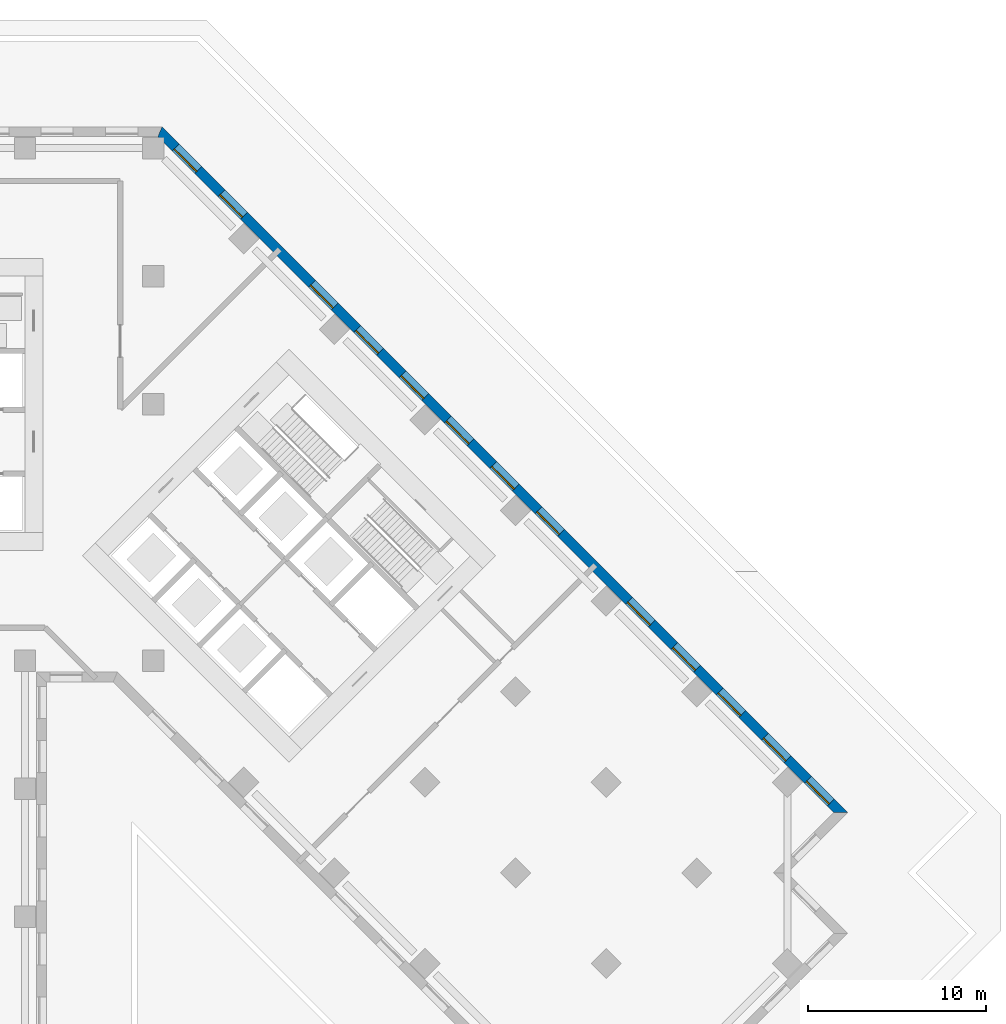
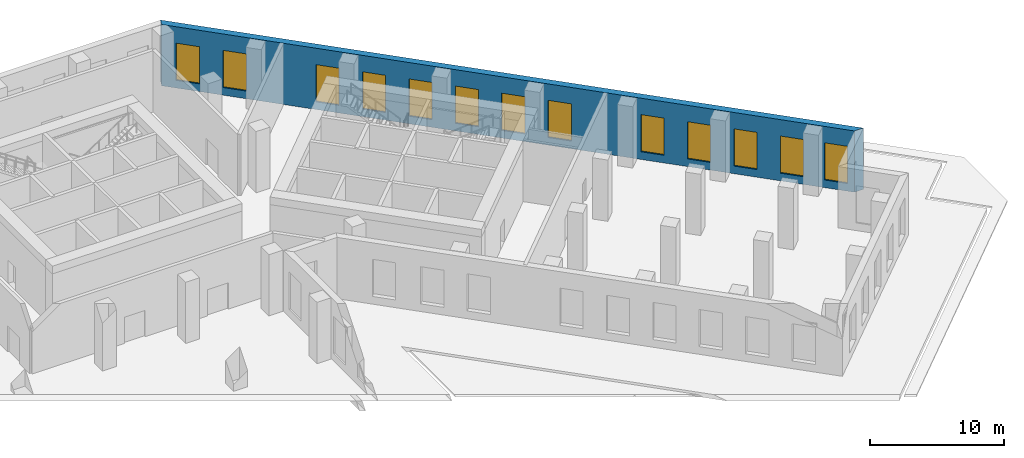
# One storey, part 8 of 15: 13 windows, 1 wall, 13 openings.
"""IFC4 building model written with IfcOpenShell, lengths in metres."""

from ifc_helpers import new_model, si_unit, direction, frame, frame_2d, origin, place, context, subcontext, project, spatial, polyline, rectangle, outline, extrude, material, layer, layer_set, type_object, element, fill, save


model = new_model("IFC4")

# Units and contexts
model_context = context("Model", 3, precision=1e-05, world=origin(), true_north=direction((0.0, 1.0)))
body_context = subcontext(model_context, "Body", "Model", "MODEL_VIEW")
ifc_project = project(units=[si_unit("LENGTHUNIT", "METRE"), si_unit("AREAUNIT", "SQUARE_METRE"), si_unit("VOLUMEUNIT", "CUBIC_METRE"), si_unit("PLANEANGLEUNIT", "RADIAN"), si_unit("MASSUNIT", "GRAM", prefix="KILO")], contexts=[model_context])

# Site, building, storey
site_placement = place(None, origin())
site = spatial("IfcSite", under=ifc_project, at=site_placement, CompositionType="ELEMENT")
building_placement = place(site_placement, origin())
building = spatial("IfcBuilding", under=site, at=building_placement, Name="Windrow Commons", CompositionType="ELEMENT")
storey_placement = place(building_placement, origin())
storey = spatial("IfcBuildingStorey", under=building, at=storey_placement, Name="L00", CompositionType="ELEMENT", Elevation=0.0)

# Wall, openings, windows
ifc_material_1 = material(Name="Brick masonry, red clay brick", Category="masonry")
ifc_layer = layer(ifc_material_1, 0.55)
ifc_layer_set = layer_set([ifc_layer], Name="Brick facade wall 550")
wall_type = type_object("IfcWallType", Name="Brick facade wall 550", PredefinedType="SOLIDWALL", material=ifc_layer_set)
wall_placement = place(storey_placement, frame((117.8434, 34.6648, 0.0), z_axis=(0.0, 0.0, 1.0), x_axis=(-0.7071067812, 0.7071067812, 0.0)))
wall = element("IfcWall", 1, at=wall_placement, inside=storey, type_object=wall_type, Name="Brick facade wall L00 4", PredefinedType="SOLIDWALL", context=body_context, shape_type="SweptSolid", body=[
    extrude(outline(polyline([(-0.275, -0.275), (54.222, -0.275), (53.9942, 0.275), (0.275, 0.275), (-0.275, -0.275)])), origin(), (0.0, 0.0, 1.0), 5.6),
])
opening_1_placement = place(wall_placement, frame((0.8, 0.0, 0.7)))
opening_1 = element("IfcOpeningElement", 2, at=opening_1_placement, cuts=wall, Name="Opening W3", PredefinedType="OPENING", context=body_context, shape_type="SweptSolid", body=[
    extrude(rectangle(XDim=1.8, YDim=3.4, at=frame_2d((0.9, 1.7))), frame((0.0, 0.285, 0.0), z_axis=(0.0, -1.0, 0.0), x_axis=(1.0, 0.0, 0.0)), (0.0, 0.0, 1.0), 0.57),
])
opening_2_placement = place(wall_placement, frame((4.225, 0.0, 0.7)))
opening_2 = element("IfcOpeningElement", 3, at=opening_2_placement, cuts=wall, Name="Opening W3", PredefinedType="OPENING", context=body_context, shape_type="SweptSolid", body=[
    extrude(rectangle(XDim=1.8, YDim=3.4, at=frame_2d((0.9, 1.7))), frame((0.0, 0.285, 0.0), z_axis=(0.0, -1.0, 0.0), x_axis=(1.0, 0.0, 0.0)), (0.0, 0.0, 1.0), 0.57),
])
opening_3_placement = place(wall_placement, frame((7.825, 0.0, 0.7)))
opening_3 = element("IfcOpeningElement", 4, at=opening_3_placement, cuts=wall, Name="Opening W3", PredefinedType="OPENING", context=body_context, shape_type="SweptSolid", body=[
    extrude(rectangle(XDim=1.8, YDim=3.4, at=frame_2d((0.9, 1.7))), frame((0.0, 0.285, 0.0), z_axis=(0.0, -1.0, 0.0), x_axis=(1.0, 0.0, 0.0)), (0.0, 0.0, 1.0), 0.57),
])
opening_4_placement = place(wall_placement, frame((11.425, 0.0, 0.7)))
opening_4 = element("IfcOpeningElement", 5, at=opening_4_placement, cuts=wall, Name="Opening W3", PredefinedType="OPENING", context=body_context, shape_type="SweptSolid", body=[
    extrude(rectangle(XDim=1.8, YDim=3.4, at=frame_2d((0.9, 1.7))), frame((0.0, 0.285, 0.0), z_axis=(0.0, -1.0, 0.0), x_axis=(1.0, 0.0, 0.0)), (0.0, 0.0, 1.0), 0.57),
])
opening_5_placement = place(wall_placement, frame((15.025, 0.0, 0.7)))
opening_5 = element("IfcOpeningElement", 6, at=opening_5_placement, cuts=wall, Name="Opening W3", PredefinedType="OPENING", context=body_context, shape_type="SweptSolid", body=[
    extrude(rectangle(XDim=1.8, YDim=3.4, at=frame_2d((0.9, 1.7))), frame((0.0, 0.285, 0.0), z_axis=(0.0, -1.0, 0.0), x_axis=(1.0, 0.0, 0.0)), (0.0, 0.0, 1.0), 0.57),
])
opening_6_placement = place(wall_placement, frame((22.225, 0.0, 0.7)))
opening_6 = element("IfcOpeningElement", 7, at=opening_6_placement, cuts=wall, Name="Opening W3", PredefinedType="OPENING", context=body_context, shape_type="SweptSolid", body=[
    extrude(rectangle(XDim=1.8, YDim=3.4, at=frame_2d((0.9, 1.7))), frame((0.0, 0.285, 0.0), z_axis=(0.0, -1.0, 0.0), x_axis=(1.0, 0.0, 0.0)), (0.0, 0.0, 1.0), 0.57),
])
opening_7_placement = place(wall_placement, frame((25.825, 0.0, 0.7)))
opening_7 = element("IfcOpeningElement", 8, at=opening_7_placement, cuts=wall, Name="Opening W3", PredefinedType="OPENING", context=body_context, shape_type="SweptSolid", body=[
    extrude(rectangle(XDim=1.8, YDim=3.4, at=frame_2d((0.9, 1.7))), frame((0.0, 0.285, 0.0), z_axis=(0.0, -1.0, 0.0), x_axis=(1.0, 0.0, 0.0)), (0.0, 0.0, 1.0), 0.57),
])
opening_8_placement = place(wall_placement, frame((29.425, 0.0, 0.7)))
opening_8 = element("IfcOpeningElement", 9, at=opening_8_placement, cuts=wall, Name="Opening W3", PredefinedType="OPENING", context=body_context, shape_type="SweptSolid", body=[
    extrude(rectangle(XDim=1.8, YDim=3.4, at=frame_2d((0.9, 1.7))), frame((0.0, 0.285, 0.0), z_axis=(0.0, -1.0, 0.0), x_axis=(1.0, 0.0, 0.0)), (0.0, 0.0, 1.0), 0.57),
])
opening_9_placement = place(wall_placement, frame((33.025, 0.0, 0.7)))
opening_9 = element("IfcOpeningElement", 10, at=opening_9_placement, cuts=wall, Name="Opening W3", PredefinedType="OPENING", context=body_context, shape_type="SweptSolid", body=[
    extrude(rectangle(XDim=1.8, YDim=3.4, at=frame_2d((0.9, 1.7))), frame((0.0, 0.285, 0.0), z_axis=(0.0, -1.0, 0.0), x_axis=(1.0, 0.0, 0.0)), (0.0, 0.0, 1.0), 0.57),
])
opening_10_placement = place(wall_placement, frame((36.625, 0.0, 0.7)))
opening_10 = element("IfcOpeningElement", 11, at=opening_10_placement, cuts=wall, Name="Opening W3", PredefinedType="OPENING", context=body_context, shape_type="SweptSolid", body=[
    extrude(rectangle(XDim=1.8, YDim=3.4, at=frame_2d((0.9, 1.7))), frame((0.0, 0.285, 0.0), z_axis=(0.0, -1.0, 0.0), x_axis=(1.0, 0.0, 0.0)), (0.0, 0.0, 1.0), 0.57),
])
opening_11_placement = place(wall_placement, frame((40.225, 0.0, 0.7)))
opening_11 = element("IfcOpeningElement", 12, at=opening_11_placement, cuts=wall, Name="Opening W3", PredefinedType="OPENING", context=body_context, shape_type="SweptSolid", body=[
    extrude(rectangle(XDim=1.8, YDim=3.4, at=frame_2d((0.9, 1.7))), frame((0.0, 0.285, 0.0), z_axis=(0.0, -1.0, 0.0), x_axis=(1.0, 0.0, 0.0)), (0.0, 0.0, 1.0), 0.57),
])
opening_12_placement = place(wall_placement, frame((47.425, 0.0, 0.7)))
opening_12 = element("IfcOpeningElement", 13, at=opening_12_placement, cuts=wall, Name="Opening W3", PredefinedType="OPENING", context=body_context, shape_type="SweptSolid", body=[
    extrude(rectangle(XDim=1.8, YDim=3.4, at=frame_2d((0.9, 1.7))), frame((0.0, 0.285, 0.0), z_axis=(0.0, -1.0, 0.0), x_axis=(1.0, 0.0, 0.0)), (0.0, 0.0, 1.0), 0.57),
])
opening_13_placement = place(wall_placement, frame((51.0596, 0.0, 0.7)))
opening_13 = element("IfcOpeningElement", 14, at=opening_13_placement, cuts=wall, Name="Opening W3", PredefinedType="OPENING", context=body_context, shape_type="SweptSolid", body=[
    extrude(rectangle(XDim=1.8, YDim=3.4, at=frame_2d((0.9, 1.7))), frame((0.0, 0.285, 0.0), z_axis=(0.0, -1.0, 0.0), x_axis=(1.0, 0.0, 0.0)), (0.0, 0.0, 1.0), 0.57),
])
ifc_material_2 = material(Name="Clear float glass in anodised aluminium frame", Category="aluminium")
window_type = type_object("IfcWindowType", Name="Window W3 shopfront 1800x3400", PartitioningType="SINGLE_PANEL", PredefinedType="WINDOW", material=ifc_material_2)
window_1_placement = place(opening_1_placement, origin())
window_1 = element("IfcWindow", 15, at=window_1_placement, inside=storey, type_object=window_type, Name="Window L00 4.1", OverallHeight=3.4, OverallWidth=1.8, PartitioningType="SINGLE_PANEL", PredefinedType="WINDOW", context=body_context, shape_type="SweptSolid", body=[
    extrude(rectangle(XDim=1.8, YDim=3.4, at=frame_2d((0.9, 1.7))), frame((0.0, 0.155, 0.0), z_axis=(0.0, -1.0, 0.0), x_axis=(1.0, 0.0, 0.0)), (0.0, 0.0, 1.0), 0.06),
])
fill(opening_1, window_1)
window_2_placement = place(opening_2_placement, origin())
window_2 = element("IfcWindow", 16, at=window_2_placement, inside=storey, type_object=window_type, Name="Window L00 4.2", OverallHeight=3.4, OverallWidth=1.8, PartitioningType="SINGLE_PANEL", PredefinedType="WINDOW", context=body_context, shape_type="SweptSolid", body=[
    extrude(rectangle(XDim=1.8, YDim=3.4, at=frame_2d((0.9, 1.7))), frame((0.0, 0.155, 0.0), z_axis=(0.0, -1.0, 0.0), x_axis=(1.0, 0.0, 0.0)), (0.0, 0.0, 1.0), 0.06),
])
fill(opening_2, window_2)
window_3_placement = place(opening_3_placement, origin())
window_3 = element("IfcWindow", 17, at=window_3_placement, inside=storey, type_object=window_type, Name="Window L00 4.3", OverallHeight=3.4, OverallWidth=1.8, PartitioningType="SINGLE_PANEL", PredefinedType="WINDOW", context=body_context, shape_type="SweptSolid", body=[
    extrude(rectangle(XDim=1.8, YDim=3.4, at=frame_2d((0.9, 1.7))), frame((0.0, 0.155, 0.0), z_axis=(0.0, -1.0, 0.0), x_axis=(1.0, 0.0, 0.0)), (0.0, 0.0, 1.0), 0.06),
])
fill(opening_3, window_3)
window_4_placement = place(opening_4_placement, origin())
window_4 = element("IfcWindow", 18, at=window_4_placement, inside=storey, type_object=window_type, Name="Window L00 4.4", OverallHeight=3.4, OverallWidth=1.8, PartitioningType="SINGLE_PANEL", PredefinedType="WINDOW", context=body_context, shape_type="SweptSolid", body=[
    extrude(rectangle(XDim=1.8, YDim=3.4, at=frame_2d((0.9, 1.7))), frame((0.0, 0.155, 0.0), z_axis=(0.0, -1.0, 0.0), x_axis=(1.0, 0.0, 0.0)), (0.0, 0.0, 1.0), 0.06),
])
fill(opening_4, window_4)
window_5_placement = place(opening_5_placement, origin())
window_5 = element("IfcWindow", 19, at=window_5_placement, inside=storey, type_object=window_type, Name="Window L00 4.5", OverallHeight=3.4, OverallWidth=1.8, PartitioningType="SINGLE_PANEL", PredefinedType="WINDOW", context=body_context, shape_type="SweptSolid", body=[
    extrude(rectangle(XDim=1.8, YDim=3.4, at=frame_2d((0.9, 1.7))), frame((0.0, 0.155, 0.0), z_axis=(0.0, -1.0, 0.0), x_axis=(1.0, 0.0, 0.0)), (0.0, 0.0, 1.0), 0.06),
])
fill(opening_5, window_5)
window_6_placement = place(opening_6_placement, origin())
window_6 = element("IfcWindow", 20, at=window_6_placement, inside=storey, type_object=window_type, Name="Window L00 4.6", OverallHeight=3.4, OverallWidth=1.8, PartitioningType="SINGLE_PANEL", PredefinedType="WINDOW", context=body_context, shape_type="SweptSolid", body=[
    extrude(rectangle(XDim=1.8, YDim=3.4, at=frame_2d((0.9, 1.7))), frame((0.0, 0.155, 0.0), z_axis=(0.0, -1.0, 0.0), x_axis=(1.0, 0.0, 0.0)), (0.0, 0.0, 1.0), 0.06),
])
fill(opening_6, window_6)
window_7_placement = place(opening_7_placement, origin())
window_7 = element("IfcWindow", 21, at=window_7_placement, inside=storey, type_object=window_type, Name="Window L00 4.7", OverallHeight=3.4, OverallWidth=1.8, PartitioningType="SINGLE_PANEL", PredefinedType="WINDOW", context=body_context, shape_type="SweptSolid", body=[
    extrude(rectangle(XDim=1.8, YDim=3.4, at=frame_2d((0.9, 1.7))), frame((0.0, 0.155, 0.0), z_axis=(0.0, -1.0, 0.0), x_axis=(1.0, 0.0, 0.0)), (0.0, 0.0, 1.0), 0.06),
])
fill(opening_7, window_7)
window_8_placement = place(opening_8_placement, origin())
window_8 = element("IfcWindow", 22, at=window_8_placement, inside=storey, type_object=window_type, Name="Window L00 4.8", OverallHeight=3.4, OverallWidth=1.8, PartitioningType="SINGLE_PANEL", PredefinedType="WINDOW", context=body_context, shape_type="SweptSolid", body=[
    extrude(rectangle(XDim=1.8, YDim=3.4, at=frame_2d((0.9, 1.7))), frame((0.0, 0.155, 0.0), z_axis=(0.0, -1.0, 0.0), x_axis=(1.0, 0.0, 0.0)), (0.0, 0.0, 1.0), 0.06),
])
fill(opening_8, window_8)
window_9_placement = place(opening_9_placement, origin())
window_9 = element("IfcWindow", 23, at=window_9_placement, inside=storey, type_object=window_type, Name="Window L00 4.9", OverallHeight=3.4, OverallWidth=1.8, PartitioningType="SINGLE_PANEL", PredefinedType="WINDOW", context=body_context, shape_type="SweptSolid", body=[
    extrude(rectangle(XDim=1.8, YDim=3.4, at=frame_2d((0.9, 1.7))), frame((0.0, 0.155, 0.0), z_axis=(0.0, -1.0, 0.0), x_axis=(1.0, 0.0, 0.0)), (0.0, 0.0, 1.0), 0.06),
])
fill(opening_9, window_9)
window_10_placement = place(opening_10_placement, origin())
window_10 = element("IfcWindow", 24, at=window_10_placement, inside=storey, type_object=window_type, Name="Window L00 4.10", OverallHeight=3.4, OverallWidth=1.8, PartitioningType="SINGLE_PANEL", PredefinedType="WINDOW", context=body_context, shape_type="SweptSolid", body=[
    extrude(rectangle(XDim=1.8, YDim=3.4, at=frame_2d((0.9, 1.7))), frame((0.0, 0.155, 0.0), z_axis=(0.0, -1.0, 0.0), x_axis=(1.0, 0.0, 0.0)), (0.0, 0.0, 1.0), 0.06),
])
fill(opening_10, window_10)
window_11_placement = place(opening_11_placement, origin())
window_11 = element("IfcWindow", 25, at=window_11_placement, inside=storey, type_object=window_type, Name="Window L00 4.11", OverallHeight=3.4, OverallWidth=1.8, PartitioningType="SINGLE_PANEL", PredefinedType="WINDOW", context=body_context, shape_type="SweptSolid", body=[
    extrude(rectangle(XDim=1.8, YDim=3.4, at=frame_2d((0.9, 1.7))), frame((0.0, 0.155, 0.0), z_axis=(0.0, -1.0, 0.0), x_axis=(1.0, 0.0, 0.0)), (0.0, 0.0, 1.0), 0.06),
])
fill(opening_11, window_11)
window_12_placement = place(opening_12_placement, origin())
window_12 = element("IfcWindow", 26, at=window_12_placement, inside=storey, type_object=window_type, Name="Window L00 4.12", OverallHeight=3.4, OverallWidth=1.8, PartitioningType="SINGLE_PANEL", PredefinedType="WINDOW", context=body_context, shape_type="SweptSolid", body=[
    extrude(rectangle(XDim=1.8, YDim=3.4, at=frame_2d((0.9, 1.7))), frame((0.0, 0.155, 0.0), z_axis=(0.0, -1.0, 0.0), x_axis=(1.0, 0.0, 0.0)), (0.0, 0.0, 1.0), 0.06),
])
fill(opening_12, window_12)
window_13_placement = place(opening_13_placement, origin())
window_13 = element("IfcWindow", 27, at=window_13_placement, inside=storey, type_object=window_type, Name="Window L00 4.13", OverallHeight=3.4, OverallWidth=1.8, PartitioningType="SINGLE_PANEL", PredefinedType="WINDOW", context=body_context, shape_type="SweptSolid", body=[
    extrude(rectangle(XDim=1.8, YDim=3.4, at=frame_2d((0.9, 1.7))), frame((0.0, 0.155, 0.0), z_axis=(0.0, -1.0, 0.0), x_axis=(1.0, 0.0, 0.0)), (0.0, 0.0, 1.0), 0.06),
])
fill(opening_13, window_13)

save(model, "model.ifc")
